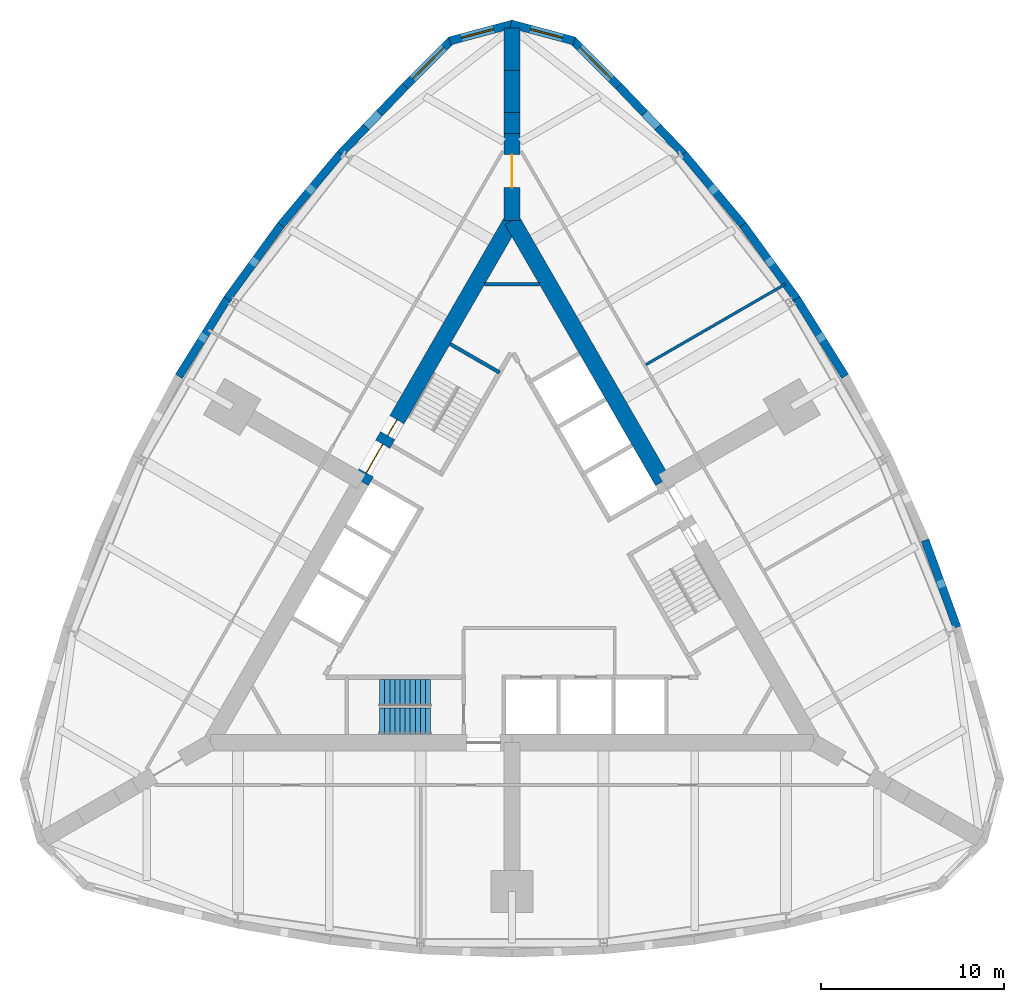
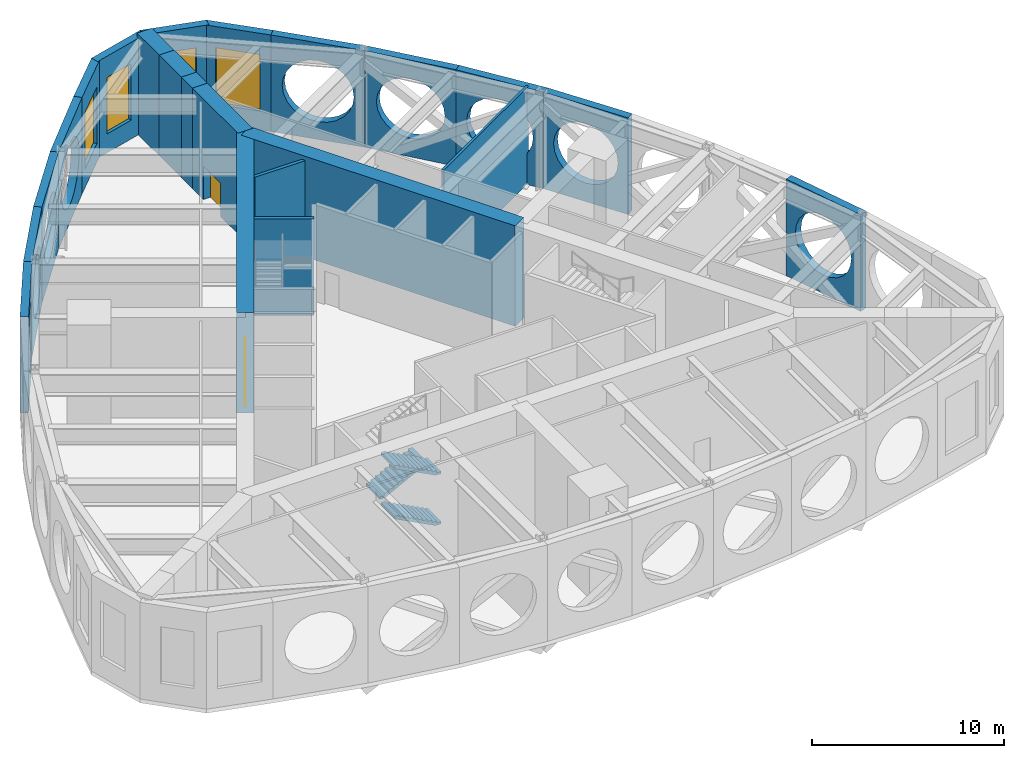
# One storey, part 5 of 7: 22 walls, 4 windows, 3 doors, 3 stair flights, 7 openings, 1 element without a shape of its own.
"""IFC4 building model written with IfcOpenShell, lengths in metres."""

from ifc_helpers import new_model, si_unit, direction, frame, frame_2d, origin, place, context, subcontext, project, spatial, polyline, rectangle, outline, extrude, material, layer, layer_set, type_object, element, fill, aggregate, save


model = new_model("IFC4")

# Units and contexts
model_context = context("Model", 3, precision=1e-05, world=origin(), true_north=direction((0.0, 1.0)))
body_context = subcontext(model_context, "Body", "Model", "MODEL_VIEW")
ifc_project = project(units=[si_unit("LENGTHUNIT", "METRE"), si_unit("AREAUNIT", "SQUARE_METRE"), si_unit("VOLUMEUNIT", "CUBIC_METRE"), si_unit("PLANEANGLEUNIT", "RADIAN"), si_unit("MASSUNIT", "GRAM", prefix="KILO")], contexts=[model_context])

# Site, building, storey
site_placement = place(None, origin())
site = spatial("IfcSite", under=ifc_project, at=site_placement, CompositionType="ELEMENT")
building_placement = place(site_placement, origin())
building = spatial("IfcBuilding", under=site, at=building_placement, Name="Trikona Tower", CompositionType="ELEMENT")
storey_placement = place(building_placement, frame((0.0, 0.0, 189.5)))
storey = spatial("IfcBuildingStorey", under=building, at=storey_placement, Name="L51", CompositionType="ELEMENT", Elevation=189.5)

# Wall, opening, window
ifc_material_1 = material(Name="Brick-faced precast concrete", Category="masonry")
ifc_layer_1 = layer(ifc_material_1, 0.449951171875)
ifc_layer_set_1 = layer_set([ifc_layer_1], Name="Brick-faced corner wall 450")
wall_type_1 = type_object("IfcWallType", Name="Brick-faced corner wall 450", PredefinedType="SOLIDWALL", material=ifc_layer_set_1)
wall_1_placement = place(storey_placement, frame((5.8408203125, 26.39892578125, 0.0), z_axis=(0.0, 0.0, 1.0), x_axis=(-0.707106781187, 0.707106781187, 0.0)))
wall_1 = element("IfcWall", 1, at=wall_1_placement, inside=storey, type_object=wall_type_1, Name="External wall L51-20", PredefinedType="SOLIDWALL", context=body_context, shape_type="SweptSolid", body=[
    extrude(rectangle(XDim=3.586181640625, YDim=0.449951171875, at=frame_2d((1.79296875, 0.0))), origin(), (0.0, 0.0, 1.0), 6.14990234375),
])
opening_1_placement = place(wall_1_placement, frame((0.59326171875, 0.0, 1.199951171875)))
opening_1 = element("IfcOpeningElement", 2, at=opening_1_placement, cuts=wall_1, Name="Opening W2436", PredefinedType="OPENING", context=body_context, shape_type="SweptSolid", body=[
    extrude(rectangle(XDim=2.39990234375, YDim=3.60009765625, at=frame_2d((1.199951171875, 1.800048828125))), frame((0.0, 0.23486328125, 0.0), z_axis=(0.0, -1.0, 0.0), x_axis=(1.0, 0.0, 0.0)), (0.0, 0.0, 1.0), 0.469970703125),
])
ifc_material_2 = material(Name="Aluminium-framed double glazing", Category="aluminium")
window_type_1 = type_object("IfcWindowType", Name="Window 2400x3600", PartitioningType="SINGLE_PANEL", PredefinedType="WINDOW", material=ifc_material_2)
window_1_placement = place(opening_1_placement, origin())
window_1 = element("IfcWindow", 3, at=window_1_placement, inside=storey, type_object=window_type_1, Name="Window L51-BMS", OverallHeight=3.60009765625, OverallWidth=2.39990234375, PartitioningType="SINGLE_PANEL", PredefinedType="WINDOW", context=body_context, shape_type="SweptSolid", body=[
    extrude(rectangle(XDim=2.39990234375, YDim=3.60009765625, at=frame_2d((1.199951171875, 1.800048828125))), frame((0.0, 0.030029296875, 0.0), z_axis=(0.0, -1.0, 0.0), x_axis=(1.0, 0.0, 0.0)), (0.0, 0.0, 1.0), 0.06005859375),
])
fill(opening_1, window_1)

wall_2_placement = place(storey_placement, frame((3.406005859375, 28.876708984375, 0.0), z_axis=(0.0, 0.0, 1.0), x_axis=(-0.965924653531, 0.258823421857, 0.0)))
wall_2 = element("IfcWall", 4, at=wall_2_placement, inside=storey, type_object=wall_type_1, Name="External wall L51-21", PredefinedType="SOLIDWALL", context=body_context, shape_type="SweptSolid", body=[
    extrude(outline(polyline([(3.58642578125, 0.22509765625), (3.526611328125, 0.22509765625), (3.035400390625, 0.09326171875), (3.0, 0.22509765625), (0.0, 0.22509765625), (0.0, -0.22509765625), (3.58642578125, -0.22509765625), (3.58642578125, 0.22509765625)])), origin(), (0.0, 0.0, 1.0), 6.14990234375),
])
opening_2_placement = place(wall_2_placement, frame((0.6748046875, 0.0, 1.199951171875)))
opening_2 = element("IfcOpeningElement", 5, at=opening_2_placement, cuts=wall_2, Name="Opening W1836", PredefinedType="OPENING", context=body_context, shape_type="SweptSolid", body=[
    extrude(rectangle(XDim=1.800048828125, YDim=3.60009765625, at=frame_2d((0.89990234375, 1.800048828125))), frame((0.0, 0.23486328125, 0.0), z_axis=(0.0, -1.0, 0.0), x_axis=(1.0, 0.0, 0.0)), (0.0, 0.0, 1.0), 0.469970703125),
])
ifc_material_3 = material(Name="Aluminium-framed double glazing", Category="aluminium")
window_type_2 = type_object("IfcWindowType", Name="Window 1800x3600", PartitioningType="SINGLE_PANEL", PredefinedType="WINDOW", material=ifc_material_3)
window_2_placement = place(opening_2_placement, origin())
window_2 = element("IfcWindow", 6, at=window_2_placement, inside=storey, type_object=window_type_2, Name="Window L51-BMS", OverallHeight=3.60009765625, OverallWidth=1.800048828125, PartitioningType="SINGLE_PANEL", PredefinedType="WINDOW", context=body_context, shape_type="SweptSolid", body=[
    extrude(rectangle(XDim=1.800048828125, YDim=3.60009765625, at=frame_2d((0.89990234375, 1.800048828125))), frame((0.0, 0.030029296875, 0.0), z_axis=(0.0, -1.0, 0.0), x_axis=(1.0, 0.0, 0.0)), (0.0, 0.0, 1.0), 0.06005859375),
])
fill(opening_2, window_2)

wall_3_placement = place(storey_placement, frame((0.05810546875, 29.804931640625, 0.0), z_axis=(0.0, 0.0, 1.0), x_axis=(-0.965924653531, -0.258823421857, 0.0)))
wall_3 = element("IfcWall", 7, at=wall_3_placement, inside=storey, type_object=wall_type_1, Name="External wall L51-22", PredefinedType="SOLIDWALL", context=body_context, shape_type="SweptSolid", body=[
    extrude(outline(polyline([(3.58642578125, 0.22509765625), (0.58642578125, 0.22509765625), (0.551025390625, 0.09326171875), (0.0595703125, 0.22509765625), (0.0, 0.22509765625), (0.0, -0.22509765625), (3.58642578125, -0.22509765625), (3.58642578125, 0.22509765625)])), origin(), (0.0, 0.0, 1.0), 6.14990234375),
])
opening_3_placement = place(wall_3_placement, frame((1.111328125, 0.0, 1.199951171875)))
opening_3 = element("IfcOpeningElement", 8, at=opening_3_placement, cuts=wall_3, Name="Opening W1836", PredefinedType="OPENING", context=body_context, shape_type="SweptSolid", body=[
    extrude(rectangle(XDim=1.800048828125, YDim=3.60009765625, at=frame_2d((0.89990234375, 1.800048828125))), frame((0.0, 0.23486328125, 0.0), z_axis=(0.0, -1.0, 0.0), x_axis=(1.0, 0.0, 0.0)), (0.0, 0.0, 1.0), 0.469970703125),
])
window_3_placement = place(opening_3_placement, origin())
window_3 = element("IfcWindow", 9, at=window_3_placement, inside=storey, type_object=window_type_2, Name="Window L51-WTR", OverallHeight=3.60009765625, OverallWidth=1.800048828125, PartitioningType="SINGLE_PANEL", PredefinedType="WINDOW", context=body_context, shape_type="SweptSolid", body=[
    extrude(rectangle(XDim=1.800048828125, YDim=3.60009765625, at=frame_2d((0.89990234375, 1.800048828125))), frame((0.0, 0.030029296875, 0.0), z_axis=(0.0, -1.0, 0.0), x_axis=(1.0, 0.0, 0.0)), (0.0, 0.0, 1.0), 0.06005859375),
])
fill(opening_3, window_3)

wall_4_placement = place(storey_placement, frame((-3.304931640625, 28.934814453125, 0.0), z_axis=(0.0, 0.0, 1.0), x_axis=(-0.707106781187, -0.707106781187, 0.0)))
wall_4 = element("IfcWall", 10, at=wall_4_placement, inside=storey, type_object=wall_type_1, Name="External wall L51-23", PredefinedType="SOLIDWALL", context=body_context, shape_type="SweptSolid", body=[
    extrude(rectangle(XDim=3.586181640625, YDim=0.449951171875, at=frame_2d((1.79296875, 0.0))), origin(), (0.0, 0.0, 1.0), 6.14990234375),
])
opening_4_placement = place(wall_4_placement, frame((0.59326171875, 0.0, 1.199951171875)))
opening_4 = element("IfcOpeningElement", 11, at=opening_4_placement, cuts=wall_4, Name="Opening W2436", PredefinedType="OPENING", context=body_context, shape_type="SweptSolid", body=[
    extrude(rectangle(XDim=2.39990234375, YDim=3.60009765625, at=frame_2d((1.199951171875, 1.800048828125))), frame((0.0, 0.23486328125, 0.0), z_axis=(0.0, -1.0, 0.0), x_axis=(1.0, 0.0, 0.0)), (0.0, 0.0, 1.0), 0.469970703125),
])
window_4_placement = place(opening_4_placement, origin())
window_4 = element("IfcWindow", 12, at=window_4_placement, inside=storey, type_object=window_type_1, Name="Window L51-WTR", OverallHeight=3.60009765625, OverallWidth=2.39990234375, PartitioningType="SINGLE_PANEL", PredefinedType="WINDOW", context=body_context, shape_type="SweptSolid", body=[
    extrude(rectangle(XDim=2.39990234375, YDim=3.60009765625, at=frame_2d((1.199951171875, 1.800048828125))), frame((0.0, 0.030029296875, 0.0), z_axis=(0.0, -1.0, 0.0), x_axis=(1.0, 0.0, 0.0)), (0.0, 0.0, 1.0), 0.06005859375),
])
fill(opening_4, window_4)

# Walls
ifc_material_4 = material(Name="Brick-faced precast concrete with louvred openings", Category="masonry")
ifc_layer_2 = layer(ifc_material_4, 0.449951171875)
ifc_layer_set_2 = layer_set([ifc_layer_2], Name="Brick-faced plant wall 450")
wall_type_2 = type_object("IfcWallType", Name="Brick-faced plant wall 450", PredefinedType="SOLIDWALL", material=ifc_layer_set_2)
wall_5_placement = place(storey_placement, frame((24.349609375, -3.217529296875, 0.0), z_axis=(0.0, 0.0, 1.0), x_axis=(-0.343210088389, 0.939258662578, 0.0)))
element("IfcWall", 13, at=wall_5_placement, inside=storey, type_object=wall_type_2, Name="External wall L51-13", PredefinedType="SOLIDWALL", context=body_context, shape_type="SweptSolid", body=[
    extrude(outline(polyline([(0.0, 0.0), (5.076171875, 0.0), (5.076171875, 6.14990234375), (0.0, 6.14990234375), (0.0, 0.0)]), holes=[polyline([(4.43798828125, 3.074951171875), (4.373291015625, 3.56689453125), (4.18359375, 4.02490234375), (3.881591796875, 4.41845703125), (3.488037109375, 4.720458984375), (3.02978515625, 4.910400390625), (2.5380859375, 4.97509765625), (2.04638671875, 4.910400390625), (1.587890625, 4.720458984375), (1.194580078125, 4.41845703125), (0.892578125, 4.02490234375), (0.702880859375, 3.56689453125), (0.637939453125, 3.074951171875), (0.702880859375, 2.583251953125), (0.892578125, 2.125), (1.194580078125, 1.7314453125), (1.587890625, 1.4296875), (2.04638671875, 1.23974609375), (2.5380859375, 1.175048828125), (3.02978515625, 1.23974609375), (3.488037109375, 1.4296875), (3.881591796875, 1.7314453125), (4.18359375, 2.125), (4.373291015625, 2.583251953125), (4.43798828125, 3.074951171875)])]), frame((0.0, 0.22509765625, 0.0), z_axis=(0.0, -1.0, 0.0), x_axis=(1.0, 0.0, 0.0)), (0.0, 0.0, 1.0), 0.449951171875),
])
wall_6_placement = place(storey_placement, frame((18.234130859375, 10.518310546875, 0.0), z_axis=(0.0, 0.0, 1.0), x_axis=(-0.529990167382, 0.84800378683, 0.0)))
element("IfcWall", 14, at=wall_6_placement, inside=storey, type_object=wall_type_2, Name="External wall L51-16", PredefinedType="SOLIDWALL", context=body_context, shape_type="SweptSolid", body=[
    extrude(outline(polyline([(0.0, 0.0), (5.003173828125, 0.0), (5.003173828125, 6.14990234375), (0.0, 6.14990234375), (0.0, 0.0)]), holes=[polyline([(4.401611328125, 3.074951171875), (4.3369140625, 3.56689453125), (4.14697265625, 4.02490234375), (3.844970703125, 4.41845703125), (3.451416015625, 4.720458984375), (2.993408203125, 4.910400390625), (2.50146484375, 4.97509765625), (2.009765625, 4.910400390625), (1.551513671875, 4.720458984375), (1.157958984375, 4.41845703125), (0.856201171875, 4.02490234375), (0.666259765625, 3.56689453125), (0.6015625, 3.074951171875), (0.666259765625, 2.583251953125), (0.856201171875, 2.125), (1.157958984375, 1.7314453125), (1.551513671875, 1.4296875), (2.009765625, 1.23974609375), (2.50146484375, 1.175048828125), (2.993408203125, 1.23974609375), (3.451416015625, 1.4296875), (3.844970703125, 1.7314453125), (4.14697265625, 2.125), (4.3369140625, 2.583251953125), (4.401611328125, 3.074951171875)])]), frame((0.0, 0.22509765625, 0.0), z_axis=(0.0, -1.0, 0.0), x_axis=(1.0, 0.0, 0.0)), (0.0, 0.0, 1.0), 0.449951171875),
])
wall_7_placement = place(storey_placement, frame((15.59130859375, 14.748046875, 0.0), z_axis=(0.0, 0.0, 1.0), x_axis=(-0.587692278424, 0.809084535682, 0.0)))
element("IfcWall", 15, at=wall_7_placement, inside=storey, type_object=wall_type_2, Name="External wall L51-17", PredefinedType="SOLIDWALL", context=body_context, shape_type="SweptSolid", body=[
    extrude(outline(polyline([(0.0, 0.0), (5.02734375, 0.0), (5.02734375, 6.14990234375), (0.0, 6.14990234375), (0.0, 0.0)]), holes=[polyline([(4.413818359375, 3.074951171875), (4.34912109375, 3.56689453125), (4.1591796875, 4.02490234375), (3.857421875, 4.41845703125), (3.4638671875, 4.720458984375), (3.005615234375, 4.910400390625), (2.513916015625, 4.97509765625), (2.02197265625, 4.910400390625), (1.563720703125, 4.720458984375), (1.17041015625, 4.41845703125), (0.868408203125, 4.02490234375), (0.678466796875, 3.56689453125), (0.61376953125, 3.074951171875), (0.678466796875, 2.583251953125), (0.868408203125, 2.125), (1.17041015625, 1.7314453125), (1.563720703125, 1.4296875), (2.02197265625, 1.23974609375), (2.513916015625, 1.175048828125), (3.005615234375, 1.23974609375), (3.4638671875, 1.4296875), (3.857421875, 1.7314453125), (4.1591796875, 2.125), (4.34912109375, 2.583251953125), (4.413818359375, 3.074951171875)])]), frame((0.0, 0.22509765625, 0.0), z_axis=(0.0, -1.0, 0.0), x_axis=(1.0, 0.0, 0.0)), (0.0, 0.0, 1.0), 0.449951171875),
])
wall_8_placement = place(storey_placement, frame((12.646240234375, 18.803466796875, 0.0), z_axis=(0.0, 0.0, 1.0), x_axis=(-0.641810386606, 0.766863369607, 0.0)))
element("IfcWall", 16, at=wall_8_placement, inside=storey, type_object=wall_type_2, Name="External wall L51-18", PredefinedType="SOLIDWALL", context=body_context, shape_type="SweptSolid", body=[
    extrude(outline(polyline([(0.0, 0.0), (5.075927734375, 0.0), (5.075927734375, 6.14990234375), (0.0, 6.14990234375), (0.0, 0.0)]), holes=[polyline([(4.43798828125, 3.074951171875), (4.373291015625, 3.56689453125), (4.183349609375, 4.02490234375), (3.881591796875, 4.41845703125), (3.488037109375, 4.720458984375), (3.02978515625, 4.910400390625), (2.5380859375, 4.97509765625), (2.046142578125, 4.910400390625), (1.587890625, 4.720458984375), (1.194580078125, 4.41845703125), (0.892578125, 4.02490234375), (0.70263671875, 3.56689453125), (0.637939453125, 3.074951171875), (0.70263671875, 2.583251953125), (0.892578125, 2.125), (1.194580078125, 1.7314453125), (1.587890625, 1.4296875), (2.046142578125, 1.23974609375), (2.5380859375, 1.175048828125), (3.02978515625, 1.23974609375), (3.488037109375, 1.4296875), (3.881591796875, 1.7314453125), (4.183349609375, 2.125), (4.373291015625, 2.583251953125), (4.43798828125, 3.074951171875)])]), frame((0.0, 0.22509765625, 0.0), z_axis=(0.0, -1.0, 0.0), x_axis=(1.0, 0.0, 0.0)), (0.0, 0.0, 1.0), 0.449951171875),
])
for number, where, z_axis, x_axis, name in (
    (17, (9.3984375, 22.684814453125, 0.0), (0.0, 0.0, 1.0), (-0.691719937936, 0.722165858693, 0.0), "External wall L51-19"),
    (18, (-5.83740234375, 26.402587890625, 0.0), (0.0, 0.0, 1.0), (-0.691719937936, -0.722165858693, 0.0), "External wall L51-24"),
):
    element("IfcWall", number, at=place(storey_placement, frame(where, z_axis=z_axis, x_axis=x_axis)), inside=storey, type_object=wall_type_2, Name=name, PredefinedType="SOLIDWALL", context=body_context, shape_type="SweptSolid", body=[
        extrude(outline(polyline([(0.0, 0.0), (5.148193359375, 0.0), (5.148193359375, 6.14990234375), (0.0, 6.14990234375), (0.0, 0.0)]), holes=[polyline([(4.52392578125, 3.074951171875), (4.45751953125, 3.57958984375), (4.2626953125, 4.050048828125), (3.952880859375, 4.453857421875), (3.548828125, 4.763671875), (3.07861328125, 4.95849609375), (2.573974609375, 5.02490234375), (2.069091796875, 4.95849609375), (1.598876953125, 4.763671875), (1.195068359375, 4.453857421875), (0.88525390625, 4.050048828125), (0.6904296875, 3.57958984375), (0.623779296875, 3.074951171875), (0.6904296875, 2.5703125), (0.88525390625, 2.10009765625), (1.195068359375, 1.696044921875), (1.598876953125, 1.38623046875), (2.069091796875, 1.19140625), (2.573974609375, 1.125), (3.07861328125, 1.19140625), (3.548828125, 1.38623046875), (3.952880859375, 1.696044921875), (4.2626953125, 2.10009765625), (4.45751953125, 2.5703125), (4.52392578125, 3.074951171875)])]), frame((0.0, 0.22509765625, 0.0), z_axis=(0.0, -1.0, 0.0), x_axis=(1.0, 0.0, 0.0)), (0.0, 0.0, 1.0), 0.449951171875),
    ])
wall_9_placement = place(storey_placement, frame((-9.388427734375, 22.696044921875, 0.0), z_axis=(0.0, 0.0, 1.0), x_axis=(-0.641810386606, -0.766863369607, 0.0)))
element("IfcWall", 19, at=wall_9_placement, inside=storey, type_object=wall_type_2, Name="External wall L51-25", PredefinedType="SOLIDWALL", context=body_context, shape_type="SweptSolid", body=[
    extrude(outline(polyline([(0.0, 0.0), (5.075927734375, 0.0), (5.075927734375, 6.14990234375), (0.0, 6.14990234375), (0.0, 0.0)]), holes=[polyline([(4.43798828125, 3.074951171875), (4.373291015625, 3.56689453125), (4.183349609375, 4.02490234375), (3.881591796875, 4.41845703125), (3.488037109375, 4.720458984375), (3.02978515625, 4.910400390625), (2.5380859375, 4.97509765625), (2.046142578125, 4.910400390625), (1.587890625, 4.720458984375), (1.194580078125, 4.41845703125), (0.892578125, 4.02490234375), (0.70263671875, 3.56689453125), (0.637939453125, 3.074951171875), (0.70263671875, 2.583251953125), (0.892578125, 2.125), (1.194580078125, 1.7314453125), (1.587890625, 1.4296875), (2.046142578125, 1.23974609375), (2.5380859375, 1.175048828125), (3.02978515625, 1.23974609375), (3.488037109375, 1.4296875), (3.881591796875, 1.7314453125), (4.183349609375, 2.125), (4.373291015625, 2.583251953125), (4.43798828125, 3.074951171875)])]), frame((0.0, 0.22509765625, 0.0), z_axis=(0.0, -1.0, 0.0), x_axis=(1.0, 0.0, 0.0)), (0.0, 0.0, 1.0), 0.449951171875),
])
wall_10_placement = place(storey_placement, frame((-12.63671875, 18.815673828125, 0.0), z_axis=(0.0, 0.0, 1.0), x_axis=(-0.587692278424, -0.809084535682, 0.0)))
element("IfcWall", 20, at=wall_10_placement, inside=storey, type_object=wall_type_2, Name="External wall L51-26", PredefinedType="SOLIDWALL", context=body_context, shape_type="SweptSolid", body=[
    extrude(outline(polyline([(0.0, 0.0), (5.02734375, 0.0), (5.02734375, 6.14990234375), (0.0, 6.14990234375), (0.0, 0.0)]), holes=[polyline([(4.413818359375, 3.074951171875), (4.34912109375, 3.56689453125), (4.1591796875, 4.02490234375), (3.857421875, 4.41845703125), (3.4638671875, 4.720458984375), (3.005615234375, 4.910400390625), (2.513916015625, 4.97509765625), (2.02197265625, 4.910400390625), (1.563720703125, 4.720458984375), (1.17041015625, 4.41845703125), (0.868408203125, 4.02490234375), (0.678466796875, 3.56689453125), (0.61376953125, 3.074951171875), (0.678466796875, 2.583251953125), (0.868408203125, 2.125), (1.17041015625, 1.7314453125), (1.563720703125, 1.4296875), (2.02197265625, 1.23974609375), (2.513916015625, 1.175048828125), (3.005615234375, 1.23974609375), (3.4638671875, 1.4296875), (3.857421875, 1.7314453125), (4.1591796875, 2.125), (4.34912109375, 2.583251953125), (4.413818359375, 3.074951171875)])]), frame((0.0, 0.22509765625, 0.0), z_axis=(0.0, -1.0, 0.0), x_axis=(1.0, 0.0, 0.0)), (0.0, 0.0, 1.0), 0.449951171875),
])
wall_11_placement = place(storey_placement, frame((-15.58251953125, 14.760986328125, 0.0), z_axis=(0.0, 0.0, 1.0), x_axis=(-0.529990167382, -0.84800378683, 0.0)))
element("IfcWall", 21, at=wall_11_placement, inside=storey, type_object=wall_type_2, Name="External wall L51-27", PredefinedType="SOLIDWALL", context=body_context, shape_type="SweptSolid", body=[
    extrude(outline(polyline([(0.0, 0.0), (5.003173828125, 0.0), (5.003173828125, 6.14990234375), (0.0, 6.14990234375), (0.0, 0.0)]), holes=[polyline([(4.401611328125, 3.074951171875), (4.3369140625, 3.56689453125), (4.14697265625, 4.02490234375), (3.844970703125, 4.41845703125), (3.451416015625, 4.720458984375), (2.993408203125, 4.910400390625), (2.50146484375, 4.97509765625), (2.009765625, 4.910400390625), (1.551513671875, 4.720458984375), (1.157958984375, 4.41845703125), (0.856201171875, 4.02490234375), (0.666259765625, 3.56689453125), (0.6015625, 3.074951171875), (0.666259765625, 2.583251953125), (0.856201171875, 2.125), (1.157958984375, 1.7314453125), (1.551513671875, 1.4296875), (2.009765625, 1.23974609375), (2.50146484375, 1.175048828125), (2.993408203125, 1.23974609375), (3.451416015625, 1.4296875), (3.844970703125, 1.7314453125), (4.14697265625, 2.125), (4.3369140625, 2.583251953125), (4.401611328125, 3.074951171875)])]), frame((0.0, 0.22509765625, 0.0), z_axis=(0.0, -1.0, 0.0), x_axis=(1.0, 0.0, 0.0)), (0.0, 0.0, 1.0), 0.449951171875),
])

# Wall, opening, door
ifc_material_5 = material(Name="Concrete f'c 10000 psi", Category="concrete")
ifc_layer_3 = layer(ifc_material_5, 0.89990234375)
ifc_layer_set_3 = layer_set([ifc_layer_3], Name="Buttress wall 900")
wall_type_3 = type_object("IfcWallType", Name="Buttress wall 900", PredefinedType="SHEAR", material=ifc_layer_set_3)
wall_12_placement = place(storey_placement, frame((0.0, 19.052490234375, 0.0), z_axis=(0.0, 0.0, 1.0), x_axis=(0.0, 1.0, 0.0)))
wall_12 = element("IfcWall", 22, at=wall_12_placement, inside=storey, type_object=wall_type_3, Name="Buttress wall 2", PredefinedType="SHEAR", context=body_context, shape_type="SweptSolid", body=[
    extrude(rectangle(XDim=4.74609375, YDim=0.89990234375, at=frame_2d((2.373046875, 0.0))), origin(), (0.0, 0.0, 1.0), 6.39990234375),
])
opening_5_placement = place(wall_12_placement, frame((1.800048828125, 0.0, 0.0)))
opening_5 = element("IfcOpeningElement", 23, at=opening_5_placement, cuts=wall_12, Name="Opening D10", PredefinedType="OPENING", context=body_context, shape_type="SweptSolid", body=[
    extrude(rectangle(XDim=1.800048828125, YDim=2.1298828125, at=frame_2d((0.89990234375, 1.06494140625))), frame((0.0, 0.4599609375, 0.0), z_axis=(0.0, -1.0, 0.0), x_axis=(1.0, 0.0, 0.0)), (0.0, 0.0, 1.0), 0.919921875),
])
ifc_material_6 = material(Name="Hollow metal door and frame", Category="steel")
door_type_1 = type_object("IfcDoorType", Name="Cross-corridor door pair 1800x2130", OperationType="DOUBLE_DOOR_DOUBLE_SWING", PredefinedType="DOOR", material=ifc_material_6)
door_1_placement = place(opening_5_placement, origin())
door_1 = element("IfcDoor", 24, at=door_1_placement, inside=storey, type_object=door_type_1, Name="Cross-corridor door 2", OperationType="DOUBLE_DOOR_DOUBLE_SWING", OverallHeight=2.1298828125, OverallWidth=1.800048828125, PredefinedType="DOOR", context=body_context, shape_type="SweptSolid", body=[
    extrude(rectangle(XDim=1.800048828125, YDim=2.1298828125, at=frame_2d((0.89990234375, 1.06494140625))), frame((0.0, 0.02490234375, 0.0), z_axis=(0.0, -1.0, 0.0), x_axis=(1.0, 0.0, 0.0)), (0.0, 0.0, 1.0), 0.050048828125),
])
fill(opening_5, door_1)

# Walls
wall_13_placement = place(storey_placement, frame((0.0, 23.798583984375, 0.0), z_axis=(0.0, 0.0, 1.0), x_axis=(0.0, 1.0, 0.0)))
element("IfcWall", 25, at=wall_13_placement, inside=storey, type_object=wall_type_3, Name="Buttress wall 2 part 2", PredefinedType="SHEAR", context=body_context, shape_type="SweptSolid", body=[
    extrude(rectangle(XDim=1.15478515625, YDim=0.89990234375, at=frame_2d((0.577392578125, 0.0))), origin(), (0.0, 0.0, 1.0), 6.39990234375),
])
wall_14_placement = place(storey_placement, frame((0.0, 24.953369140625, 0.0), z_axis=(0.0, 0.0, 1.0), x_axis=(0.0, 1.0, 0.0)))
element("IfcWall", 26, at=wall_14_placement, inside=storey, type_object=wall_type_3, Name="Buttress wall 2 part 3", PredefinedType="SHEAR", context=body_context, shape_type="SweptSolid", body=[
    extrude(rectangle(XDim=2.309326171875, YDim=0.89990234375, at=frame_2d((1.15478515625, 0.0))), origin(), (0.0, 0.0, 1.0), 6.39990234375),
])
wall_15_placement = place(storey_placement, frame((0.0, 27.2626953125, 0.0), z_axis=(0.0, 0.0, 1.0), x_axis=(0.0, 1.0, 0.0)))
element("IfcWall", 27, at=wall_15_placement, inside=storey, type_object=wall_type_3, Name="Buttress wall 2 part 4", PredefinedType="SHEAR", context=body_context, shape_type="SweptSolid", body=[
    extrude(rectangle(XDim=2.3095703125, YDim=0.89990234375, at=frame_2d((1.15478515625, 0.0))), origin(), (0.0, 0.0, 1.0), 6.39990234375),
])
ifc_material_7 = material(Name="Concrete f'c 10000 psi", Category="concrete")
ifc_layer_4 = layer(ifc_material_7, 0.89990234375)
ifc_layer_set_4 = layer_set([ifc_layer_4], Name="Core wall 900")
wall_type_4 = type_object("IfcWallType", Name="Core wall 900", PredefinedType="SHEAR", material=ifc_layer_set_4)
wall_16_placement = place(storey_placement, frame((8.25, 4.76318359375, 0.0), z_axis=(0.0, 0.0, 1.0), x_axis=(-0.500002952946, 0.866023698893, 0.0)))
element("IfcWall", 28, at=wall_16_placement, inside=storey, type_object=wall_type_4, Name="Core wall B2", PredefinedType="SHEAR", context=body_context, shape_type="SweptSolid", body=[
    extrude(rectangle(XDim=16.5, YDim=0.89990234375, at=frame_2d((8.25, 0.0))), origin(), (0.0, 0.0, 1.0), 6.39990234375),
])

# Wall, openings, doors
wall_17_placement = place(storey_placement, frame((0.0, 19.052490234375, 0.0), z_axis=(0.0, 0.0, 1.0), x_axis=(-0.500002952946, -0.866023698893, 0.0)))
wall_17 = element("IfcWall", 29, at=wall_17_placement, inside=storey, type_object=wall_type_4, Name="Core wall C1", PredefinedType="SHEAR", context=body_context, shape_type="SweptSolid", body=[
    extrude(rectangle(XDim=16.5, YDim=0.89990234375, at=frame_2d((8.25, 0.0))), origin(), (0.0, 0.0, 1.0), 6.39990234375),
])
opening_6_placement = place(wall_17_placement, frame((14.14990234375, 0.0, 0.0)))
opening_6 = element("IfcOpeningElement", 30, at=opening_6_placement, cuts=wall_17, Name="Opening D6", PredefinedType="OPENING", context=body_context, shape_type="SweptSolid", body=[
    extrude(rectangle(XDim=1.800048828125, YDim=2.1298828125, at=frame_2d((0.89990234375, 1.06494140625))), frame((0.0, 0.4599609375, 0.0), z_axis=(0.0, -1.0, 0.0), x_axis=(1.0, 0.0, 0.0)), (0.0, 0.0, 1.0), 0.919921875),
])
opening_7_placement = place(wall_17_placement, frame((12.60009765625, 0.0, 0.0)))
opening_7 = element("IfcOpeningElement", 31, at=opening_7_placement, cuts=wall_17, Name="Opening D5", PredefinedType="OPENING", context=body_context, shape_type="SweptSolid", body=[
    extrude(rectangle(XDim=1.0, YDim=2.1298828125, at=frame_2d((0.5, 1.06494140625))), frame((0.0, 0.4599609375, 0.0), z_axis=(0.0, -1.0, 0.0), x_axis=(1.0, 0.0, 0.0)), (0.0, 0.0, 1.0), 0.919921875),
])
ifc_material_8 = material(Name="Hollow metal door and frame", Category="steel")
door_type_2 = type_object("IfcDoorType", Name="Lobby door pair 1800x2130", OperationType="DOUBLE_DOOR_SINGLE_SWING", PredefinedType="DOOR", material=ifc_material_8)
door_2_placement = place(opening_6_placement, origin())
door_2 = element("IfcDoor", 32, at=door_2_placement, inside=storey, type_object=door_type_2, Name="Lift lobby door C", OperationType="DOUBLE_DOOR_SINGLE_SWING", OverallHeight=2.1298828125, OverallWidth=1.800048828125, PredefinedType="DOOR", context=body_context, shape_type="SweptSolid", body=[
    extrude(rectangle(XDim=1.800048828125, YDim=2.1298828125, at=frame_2d((0.89990234375, 1.06494140625))), frame((0.0, 0.02490234375, 0.0), z_axis=(0.0, -1.0, 0.0), x_axis=(1.0, 0.0, 0.0)), (0.0, 0.0, 1.0), 0.050048828125),
])
fill(opening_6, door_2)
ifc_material_9 = material(Name="Hollow metal door and frame", Category="steel")
door_type_3 = type_object("IfcDoorType", Name="Stair door 1000x2130", OperationType="SINGLE_SWING_LEFT", PredefinedType="DOOR", material=ifc_material_9)
door_3_placement = place(opening_7_placement, origin())
door_3 = element("IfcDoor", 33, at=door_3_placement, inside=storey, type_object=door_type_3, Name="Stair C door", OperationType="SINGLE_SWING_RIGHT", OverallHeight=2.1298828125, OverallWidth=1.0, PredefinedType="DOOR", context=body_context, shape_type="SweptSolid", body=[
    extrude(rectangle(XDim=1.0, YDim=2.1298828125, at=frame_2d((0.5, 1.06494140625))), frame((0.0, 0.02490234375, 0.0), z_axis=(0.0, -1.0, 0.0), x_axis=(1.0, 0.0, 0.0)), (0.0, 0.0, 1.0), 0.050048828125),
])
fill(opening_7, door_3)

# Walls
ifc_material_10 = material(Name="Metal stud and gypsum board, 1-hour acoustic", Category="gypsum")
ifc_layer_5 = layer(ifc_material_10, 0.14990234375)
ifc_layer_set_5 = layer_set([ifc_layer_5], Name="Party wall 150")
wall_type_5 = type_object("IfcWallType", Name="Party wall 150", PredefinedType="PARTITIONING", material=ifc_layer_set_5)
wall_18_placement = place(storey_placement, frame((7.32861328125, 11.1591796875, 0.0), z_axis=(0.0, 0.0, 1.0), x_axis=(0.866010828688, 0.500025243958, 0.0)))
element("IfcWall", 34, at=wall_18_placement, inside=storey, type_object=wall_type_5, Name="Partition L51 F2 u6", PredefinedType="PARTITIONING", context=body_context, shape_type="SweptSolid", body=[
    extrude(rectangle(XDim=8.8173828125, YDim=0.14990234375, at=frame_2d((4.40869140625, 0.0))), origin(), (0.0, 0.0, 1.0), 6.14990234375),
])
ifc_material_11 = material(Name="Concrete f'c 8000 psi", Category="concrete")
ifc_layer_6 = layer(ifc_material_11, 0.199951171875)
ifc_layer_set_6 = layer_set([ifc_layer_6], Name="Shaft wall 200")
wall_type_6 = type_object("IfcWallType", Name="Shaft wall 200", PredefinedType="SOLIDWALL", material=ifc_layer_set_6)
wall_19_placement = place(storey_placement, frame((-1.501220703125, 15.552490234375, 0.0), z_axis=(0.0, 0.0, 1.0), x_axis=(1.0, 0.0, 0.0)))
element("IfcWall", 35, at=wall_19_placement, inside=storey, type_object=wall_type_6, Name="Riser wall L51-RS2", PredefinedType="SOLIDWALL", context=body_context, shape_type="SweptSolid", body=[
    extrude(rectangle(XDim=3.00244140625, YDim=0.199951171875, at=frame_2d((1.501220703125, 0.0))), origin(), (0.0, 0.0, 1.0), 6.14990234375),
])
ifc_material_12 = material(Name="Concrete f'c 8000 psi", Category="concrete")
ifc_layer_7 = layer(ifc_material_12, 0.199951171875)
ifc_layer_set_7 = layer_set([ifc_layer_7], Name="Shaft wall 200 load-bearing")
wall_type_7 = type_object("IfcWallType", Name="Shaft wall 200 load-bearing", PredefinedType="SOLIDWALL", material=ifc_layer_set_7)
wall_20_placement = place(storey_placement, frame((-0.678955078125, 10.7265625, 0.0), z_axis=(0.0, 0.0, 1.0), x_axis=(-0.866022959057, 0.500004234368, 0.0)))
element("IfcWall", 36, at=wall_20_placement, inside=storey, type_object=wall_type_7, Name="Shaft wall C1", PredefinedType="SOLIDWALL", context=body_context, shape_type="SweptSolid", body=[
    extrude(rectangle(XDim=3.125, YDim=0.199951171875, at=frame_2d((1.5625, 0.0))), origin(), (0.0, 0.0, 1.0), 6.14990234375),
])

# Stair, stair flights
ifc_material_13 = material(Name="Concrete f'c 5000 psi", Category="concrete")
stair_type = type_object("IfcStairType", Name="Core stair", PredefinedType="HALF_TURN_STAIR", material=ifc_material_13)
stair_placement = place(storey_placement, origin())
stair = element("IfcStair", 37, at=stair_placement, inside=storey, type_object=stair_type, Name="Stair A L51", PredefinedType="HALF_TURN_STAIR")
ifc_material_14 = material(Name="Concrete f'c 5000 psi", Category="concrete")
stair_flight_type = type_object("IfcStairFlightType", Name="Core stair flight 1450", PredefinedType="STRAIGHT", material=ifc_material_14)
stair_flight_1_placement = place(storey_placement, frame((-4.449951171875, -8.351318359375, 0.0), z_axis=(0.0, 0.0, 1.0), x_axis=(-1.0, 0.0, 0.0)))
stair_flight_1 = element("IfcStairFlight", 38, at=stair_flight_1_placement, type_object=stair_flight_type, Name="ST-A flight 1", NumberOfRisers=11, NumberOfTreads=10, PredefinedType="STRAIGHT", RiserHeight=0.145455, TreadLength=0.28, context=body_context, shape_type="SweptSolid", body=[
    extrude(outline(polyline([(0.0, 0.0), (0.0, 0.1455078125), (0.280029296875, 0.1455078125), (0.280029296875, 0.291015625), (0.56005859375, 0.291015625), (0.56005859375, 0.436279296875), (0.840087890625, 0.436279296875), (0.840087890625, 0.581787109375), (1.1201171875, 0.581787109375), (1.1201171875, 0.727294921875), (1.39990234375, 0.727294921875), (1.39990234375, 0.872802734375), (1.679931640625, 0.872802734375), (1.679931640625, 1.01806640625), (1.9599609375, 1.01806640625), (1.9599609375, 1.16357421875), (2.239990234375, 1.16357421875), (2.239990234375, 1.30908203125), (2.52001953125, 1.30908203125), (2.52001953125, 1.45458984375), (2.800048828125, 1.45458984375), (2.800048828125, 1.60009765625), (2.800048828125, 1.28564453125), (0.3251953125, 0.0), (0.0, 0.0)])), frame((0.0, 0.72509765625, 0.0), z_axis=(0.0, -1.0, 0.0), x_axis=(1.0, 0.0, 0.0)), (0.0, 0.0, 1.0), 1.449951171875),
])
stair_flight_2_placement = place(storey_placement, frame((-7.25, -6.80126953125, 1.60009765625), z_axis=(0.0, 0.0, 1.0), x_axis=(1.0, 0.0, 0.0)))
stair_flight_2 = element("IfcStairFlight", 39, at=stair_flight_2_placement, type_object=stair_flight_type, Name="ST-A flight 2", NumberOfRisers=11, NumberOfTreads=10, PredefinedType="STRAIGHT", RiserHeight=0.145455, TreadLength=0.28, context=body_context, shape_type="SweptSolid", body=[
    extrude(outline(polyline([(0.0, 0.0), (0.0, 0.1455078125), (0.280029296875, 0.1455078125), (0.280029296875, 0.291015625), (0.56005859375, 0.291015625), (0.56005859375, 0.436279296875), (0.840087890625, 0.436279296875), (0.840087890625, 0.581787109375), (1.1201171875, 0.581787109375), (1.1201171875, 0.727294921875), (1.39990234375, 0.727294921875), (1.39990234375, 0.872802734375), (1.679931640625, 0.872802734375), (1.679931640625, 1.01806640625), (1.9599609375, 1.01806640625), (1.9599609375, 1.16357421875), (2.239990234375, 1.16357421875), (2.239990234375, 1.30908203125), (2.52001953125, 1.30908203125), (2.52001953125, 1.45458984375), (2.800048828125, 1.45458984375), (2.800048828125, 1.60009765625), (2.800048828125, 1.28564453125), (0.3251953125, 0.0), (0.0, 0.0)])), frame((0.0, 0.72509765625, 0.0), z_axis=(0.0, -1.0, 0.0), x_axis=(1.0, 0.0, 0.0)), (0.0, 0.0, 1.0), 1.449951171875),
])
stair_flight_3_placement = place(storey_placement, frame((-4.449951171875, -8.351318359375, 3.199951171875), z_axis=(0.0, 0.0, 1.0), x_axis=(-1.0, 0.0, 0.0)))
stair_flight_3 = element("IfcStairFlight", 40, at=stair_flight_3_placement, type_object=stair_flight_type, Name="ST-A flight 3", NumberOfRisers=11, NumberOfTreads=10, PredefinedType="STRAIGHT", RiserHeight=0.145455, TreadLength=0.28, context=body_context, shape_type="SweptSolid", body=[
    extrude(outline(polyline([(0.0, 0.0), (0.0, 0.1455078125), (0.280029296875, 0.1455078125), (0.280029296875, 0.291015625), (0.56005859375, 0.291015625), (0.56005859375, 0.436279296875), (0.840087890625, 0.436279296875), (0.840087890625, 0.581787109375), (1.1201171875, 0.581787109375), (1.1201171875, 0.727294921875), (1.39990234375, 0.727294921875), (1.39990234375, 0.872802734375), (1.679931640625, 0.872802734375), (1.679931640625, 1.01806640625), (1.9599609375, 1.01806640625), (1.9599609375, 1.16357421875), (2.239990234375, 1.16357421875), (2.239990234375, 1.30908203125), (2.52001953125, 1.30908203125), (2.52001953125, 1.45458984375), (2.800048828125, 1.45458984375), (2.800048828125, 1.60009765625), (2.800048828125, 1.28564453125), (0.3251953125, 0.0), (0.0, 0.0)])), frame((0.0, 0.72509765625, 0.0), z_axis=(0.0, -1.0, 0.0), x_axis=(1.0, 0.0, 0.0)), (0.0, 0.0, 1.0), 1.449951171875),
])
aggregate(stair, [stair_flight_1, stair_flight_2, stair_flight_3])

save(model, "model.ifc")
